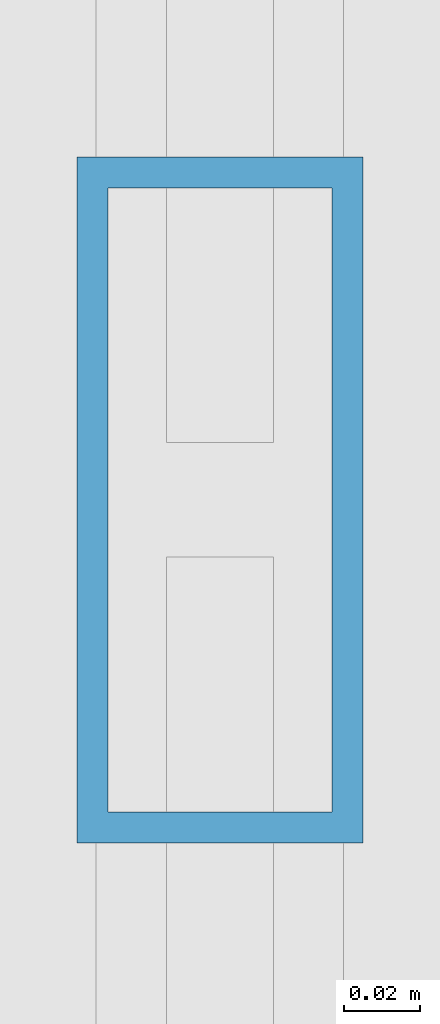
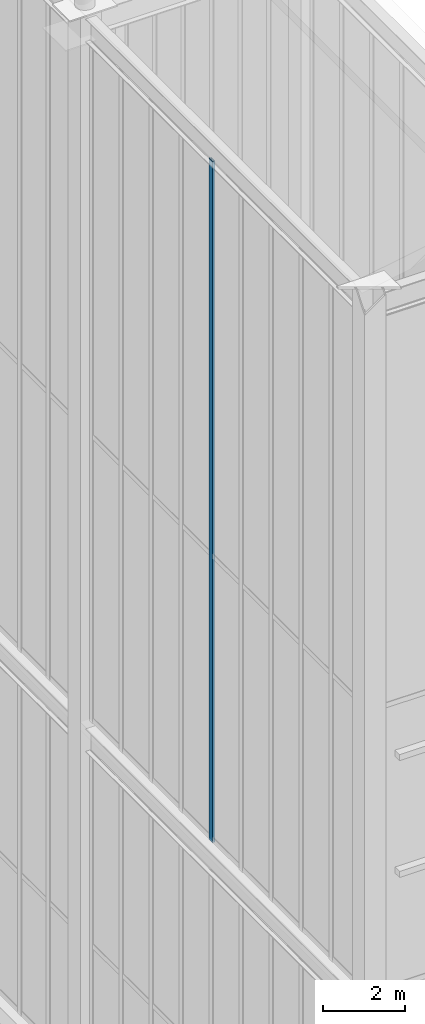
# One storey, part 63 of 135: 1 member, 1 element without a shape of its own.
"""IFC4 building model written with IfcOpenShell, lengths in metres."""

import ifcopenshell
import ifcopenshell.guid

model = None  # the IFC model being written
_history = None  # IfcOwnerHistory: only IFC2X3 demands one
_inside = {}  # id of a spatial element -> (the spatial element, [elements in it])
_under = {}  # id of a project, library or spatial element -> (it, [spatial elements below it])
_declared = {}  # id of a project -> (the project, [libraries it declares])
_typed = {}  # id of a type object -> (the type object, [elements of that type])
_made_of = {}  # id of a material, layer set ... -> (it, [elements and type objects made of it])


def new_model(schema):
    """Start an empty IFC model of exactly this schema.

    Asked for "IFC4X3", IfcOpenShell would pick the latest addendum, in which some entities
    have other attributes; the version numbers below select the first issue.
    IFC2X3 requires an IfcOwnerHistory on every rooted entity: one is made here for all.
    """
    global model, _history
    if schema == "IFC4X3":
        model = ifcopenshell.file(schema_version=(4, 3, 0, 0))
    else:
        model = ifcopenshell.file(schema=schema)
    _inside.clear()
    _under.clear()
    _declared.clear()
    _typed.clear()
    _made_of.clear()
    _history = None
    if model.schema == "IFC2X3":
        org = make("IfcOrganization", Name="unknown")
        user = make(
            "IfcPersonAndOrganization",
            ThePerson=make("IfcPerson", FamilyName="unknown"),
            TheOrganization=org,
        )
        app = make(
            "IfcApplication",
            ApplicationDeveloper=org,
            Version="unknown",
            ApplicationFullName="unknown",
            ApplicationIdentifier="unknown",
        )
        _history = make(
            "IfcOwnerHistory",
            OwningUser=user,
            OwningApplication=app,
            ChangeAction="ADDED",
            CreationDate=0,
        )
    return model


def make(cls, **values):
    """One entity of the class cls with the attributes given. An attribute that is None is left unset."""
    return model.create_entity(
        cls, **{name: value for name, value in values.items() if value is not None}
    )


def rooted(cls, **values):
    """An entity with a GlobalId (a new one), such as an element, a storey or a relation."""
    return make(cls, GlobalId=ifcopenshell.guid.new(), OwnerHistory=_history, **values)


def si_unit(unit_type, name, prefix=None):
    """IfcSIUnit, for example si_unit("LENGTHUNIT", "METRE", prefix="MILLI")."""
    return make("IfcSIUnit", UnitType=unit_type, Prefix=prefix, Name=name)


def assignment(units):
    """IfcUnitAssignment: the units of a project."""
    return None if units is None else make("IfcUnitAssignment", Units=units)


def point(xyz):
    """IfcCartesianPoint."""
    return None if xyz is None else make("IfcCartesianPoint", Coordinates=xyz)


def direction(xyz):
    """IfcDirection."""
    return None if xyz is None else make("IfcDirection", DirectionRatios=xyz)


def frame(location, z_axis=None, x_axis=None):
    """IfcAxis2Placement3D, a coordinate frame: its origin and axes. An axis left out is left unset."""
    return make(
        "IfcAxis2Placement3D",
        Location=point(location),
        Axis=direction(z_axis),
        RefDirection=direction(x_axis),
    )


def frame_2d(location, x_axis=None):
    """IfcAxis2Placement2D, a coordinate frame in the plane: its origin and x axis."""
    return make(
        "IfcAxis2Placement2D", Location=point(location), RefDirection=direction(x_axis)
    )


def origin():
    """The frame at (0, 0, 0) with its axes left unset."""
    return frame((0.0, 0.0, 0.0))


def origin_2d():
    """The frame at (0, 0) in the plane with its x axis left unset."""
    return frame_2d((0.0, 0.0))


def place(relative_to, where):
    """IfcLocalPlacement: puts the frame where relative to a parent placement (None: the world)."""
    return make(
        "IfcLocalPlacement", PlacementRelTo=relative_to, RelativePlacement=where
    )


def context(
    kind, dimensions, precision=None, world=None, true_north=None, identifier=None
):
    """IfcGeometricRepresentationContext, for example the 3D "Model" context."""
    return make(
        "IfcGeometricRepresentationContext",
        ContextIdentifier=identifier,
        ContextType=kind,
        CoordinateSpaceDimension=dimensions,
        Precision=precision,
        WorldCoordinateSystem=world,
        TrueNorth=true_north,
    )


def subcontext(parent, identifier, kind, view, scale=None):
    """IfcGeometricRepresentationSubContext, for example "Body" below "Model"."""
    return make(
        "IfcGeometricRepresentationSubContext",
        ContextIdentifier=identifier,
        ContextType=kind,
        ParentContext=parent,
        TargetScale=scale,
        TargetView=view,
    )


def project(units=None, contexts=None):
    """IfcProject with its units and contexts."""
    return rooted(
        "IfcProject",
        Name="project",
        RepresentationContexts=contexts,
        UnitsInContext=assignment(units),
    )


def spatial(cls, under=None, at=None, **own):
    """A site, building, storey or space (cls), placed at a placement, below another one or the project."""
    s = rooted(cls, ObjectPlacement=at, **own)
    if under is not None:
        _under.setdefault(under.id(), (under, []))[1].append(s)
    return s


def profile(cls, at=None, kind="AREA", **sizes):
    """A parametric profile (cls). Its sizes go by their IFC names, for example OverallWidth=200.0."""
    return make(cls, ProfileType=kind, Position=at, **sizes)


def hollow_rectangle(**sizes):
    """IfcRectangleHollowProfileDef."""
    return profile("IfcRectangleHollowProfileDef", **sizes)


def extrude(swept, where, along, depth):
    """IfcExtrudedAreaSolid: the profile swept, set in the frame where, extruded along a direction by depth."""
    return make(
        "IfcExtrudedAreaSolid",
        SweptArea=swept,
        Position=where,
        ExtrudedDirection=direction(along),
        Depth=depth,
    )


def shape(context_of_items, identifier, shape_type, items):
    """IfcShapeRepresentation: the items that make up one representation, for example the "Body"."""
    return make(
        "IfcShapeRepresentation",
        ContextOfItems=context_of_items,
        RepresentationIdentifier=identifier,
        RepresentationType=shape_type,
        Items=items,
    )


def source(mapping_origin, context_of_items, identifier, shape_type, items):
    """IfcRepresentationMap: a shape defined once, which mapped items show again and again."""
    return make(
        "IfcRepresentationMap",
        MappingOrigin=mapping_origin,
        MappedRepresentation=shape(context_of_items, identifier, shape_type, items),
    )


def transform(
    local_origin,
    x_axis=None,
    y_axis=None,
    z_axis=None,
    scale=None,
    scale2=None,
    scale3=None,
    uniform=True,
):
    """IfcCartesianTransformationOperator3D, or its non-uniform kind. x_axis, y_axis, z_axis: its Axis1, 2, 3."""
    if uniform:
        return make(
            "IfcCartesianTransformationOperator3D",
            Axis1=direction(x_axis),
            Axis2=direction(y_axis),
            LocalOrigin=point(local_origin),
            Scale=scale,
            Axis3=direction(z_axis),
        )
    return make(
        "IfcCartesianTransformationOperator3DnonUniform",
        Axis1=direction(x_axis),
        Axis2=direction(y_axis),
        LocalOrigin=point(local_origin),
        Scale=scale,
        Axis3=direction(z_axis),
        Scale2=scale2,
        Scale3=scale3,
    )


def mapped(mapping_source, mapping_target):
    """IfcMappedItem: shows the shape of a source again, moved by a transform."""
    return make(
        "IfcMappedItem", MappingSource=mapping_source, MappingTarget=mapping_target
    )


def material(Name=None, Category=None):
    """IfcMaterial."""
    return make("IfcMaterial", Name=Name, Category=Category)


def layer(
    of_material, thickness, ventilated=None, Name=None, Category=None, Priority=None
):
    """IfcMaterialLayer: one layer of a wall or slab, of a material (None: an air gap)."""
    return make(
        "IfcMaterialLayer",
        Material=of_material,
        LayerThickness=thickness,
        IsVentilated=ventilated,
        Name=Name,
        Category=Category,
        Priority=Priority,
    )


def layer_set(layers, Name=None):
    """IfcMaterialLayerSet."""
    return make("IfcMaterialLayerSet", MaterialLayers=layers, LayerSetName=Name)


def material_profile(
    of_material, cross_section, Name=None, Category=None, Priority=None
):
    """IfcMaterialProfile: a cross section and its material."""
    return make(
        "IfcMaterialProfile",
        Name=Name,
        Material=of_material,
        Profile=cross_section,
        Priority=Priority,
        Category=Category,
    )


def profile_set(profiles, Name=None, composite=None):
    """IfcMaterialProfileSet."""
    return make(
        "IfcMaterialProfileSet",
        Name=Name,
        MaterialProfiles=profiles,
        CompositeProfile=composite,
    )


def made_of(thing, what):
    """Note that an element or type object is made of a material, layer set ...; save() writes the relation."""
    if what is not None:
        _made_of.setdefault(what.id(), (what, []))[1].append(thing)
    return thing


def type_object(cls, material=None, **own):
    """A type object (cls), such as IfcWallType, which elements share."""
    return made_of(rooted(cls, **own), material)


def element(
    cls,
    number,
    at=None,
    inside=None,
    cuts=None,
    type_object=None,
    material=None,
    context=None,
    identifier="Body",
    shape_type=None,
    held_by="IfcProductDefinitionShape",
    body=None,
    shapes=None,
    **own,
):
    """One element of the class cls, such as IfcWall. Its Tag is "e" and its number.

    at: its placement. inside: the storey or other place that contains it. cuts: it is an
    opening in that element (IfcRelVoidsElement). A single representation is given by context,
    identifier, shape_type and body (its items); several are given by shapes. held_by: the class
    of the entity that holds the representations. save() writes the other relations.
    """
    e = rooted(cls, Tag="e%d" % number, ObjectPlacement=at, **own)
    if body is not None:
        shapes = [shape(context, identifier, shape_type, body)]
    if shapes is not None:
        e.Representation = make(held_by, Representations=shapes)
    if inside is not None:
        _inside.setdefault(inside.id(), (inside, []))[1].append(e)
    if cuts is not None:
        rooted(
            "IfcRelVoidsElement", RelatingBuildingElement=cuts, RelatedOpeningElement=e
        )
    if type_object is not None:
        _typed.setdefault(type_object.id(), (type_object, []))[1].append(e)
    return made_of(e, material)


def aggregate(whole, parts):
    """IfcRelAggregates: a whole, such as a stair, and the parts it consists of."""
    return rooted("IfcRelAggregates", RelatingObject=whole, RelatedObjects=parts)


def save(model, path):
    """Write the relations noted so far, then the file.

    IfcRelAggregates (storeys below a building ...), IfcRelContainedInSpatialStructure (elements
    in a storey), IfcRelDefinesByType, IfcRelAssociatesMaterial and IfcRelDeclares: one each for
    every whole, place, type object, material and project.
    """
    for whole, parts in _under.values():
        aggregate(whole, parts)
    for where, things in _inside.values():
        rooted(
            "IfcRelContainedInSpatialStructure",
            RelatedElements=things,
            RelatingStructure=where,
        )
    for kind, things in _typed.values():
        rooted("IfcRelDefinesByType", RelatedObjects=things, RelatingType=kind)
    for what, things in _made_of.values():
        rooted("IfcRelAssociatesMaterial", RelatedObjects=things, RelatingMaterial=what)
    for by, libraries in _declared.values():
        rooted("IfcRelDeclares", RelatingContext=by, RelatedDefinitions=libraries)
    model.write(path)


model = new_model("IFC4")

# Units and contexts
model_context = context("Model", 3, precision=1e-05, world=origin(), true_north=direction((0.0, 1.0)))
body_context = subcontext(model_context, "Body", "Model", "MODEL_VIEW")
ifc_project = project(units=[si_unit("LENGTHUNIT", "METRE"), si_unit("AREAUNIT", "SQUARE_METRE"), si_unit("VOLUMEUNIT", "CUBIC_METRE"), si_unit("PLANEANGLEUNIT", "RADIAN"), si_unit("MASSUNIT", "GRAM", prefix="KILO")], contexts=[model_context])

# Site, building, storey
site_placement = place(None, origin())
site = spatial("IfcSite", under=ifc_project, at=site_placement, CompositionType="ELEMENT")
building_placement = place(site_placement, origin())
building = spatial("IfcBuilding", under=site, at=building_placement, Name="Giltprow Tower", CompositionType="ELEMENT")
storey_placement = place(building_placement, frame((0.0, 0.0, 352.699951171875)))
storey = spatial("IfcBuildingStorey", under=building, at=storey_placement, Name="L92", CompositionType="ELEMENT", Elevation=352.699951171875)

# Curtain wall, member
ifc_material = material(Name="Anodized bronze", Category="metal")
ifc_layer = layer(ifc_material, 0.179931640625, Name="Anodized bronze")
ifc_layer_set = layer_set([ifc_layer], Name="Anodized bronze")
curtain_wall_type = type_object("IfcCurtainWallType", Name="CW-CROWN-LANTERN", PredefinedType="NOTDEFINED", material=ifc_layer_set)
curtain_wall_placement = place(storey_placement, origin())
curtain_wall = element("IfcCurtainWall", 1, at=curtain_wall_placement, inside=storey, type_object=curtain_wall_type, Name="Crown East Upper Lantern Glazing 6", PredefinedType="NOTDEFINED")
ifc_material_profile = material_profile(ifc_material, hollow_rectangle(XDim=0.074951171875, YDim=0.179931640625, WallThickness=0.008056640625, at=origin_2d()), Name="RHS 180x75x8")
ifc_profile_set = profile_set([ifc_material_profile], Name="Anodized bronze")
member_type = type_object("IfcMemberType", Name="CW-MULLION-180x75", PredefinedType="MULLION", material=ifc_profile_set)
shared_shape = source(origin(), body_context, "Body", "SweptSolid", [
    extrude(hollow_rectangle(XDim=0.074951171875, YDim=0.179931640625, WallThickness=0.008056640625, at=origin_2d()), origin(), (0.0, 0.0, 1.0), 20.406005859375),
])
member_placement = place(storey_placement, frame((44.300048828125, 31.2109375, 17.25), z_axis=(0.0, 0.0, 1.0), x_axis=(1.0, 0.0, 0.0)))
member = element("IfcMember", 2, at=member_placement, type_object=member_type, Name="Crown East Upper Lantern Glazing 6 Mullion 5", PredefinedType="MULLION", context=body_context, shape_type="MappedRepresentation", body=[
    mapped(shared_shape, transform((0.0, 0.0, 0.0), x_axis=(1.0, 0.0, 0.0), y_axis=(0.0, 1.0, 0.0), z_axis=(0.0, 0.0, 1.0), scale=1.0)),
])
aggregate(curtain_wall, [member])

save(model, "model.ifc")
